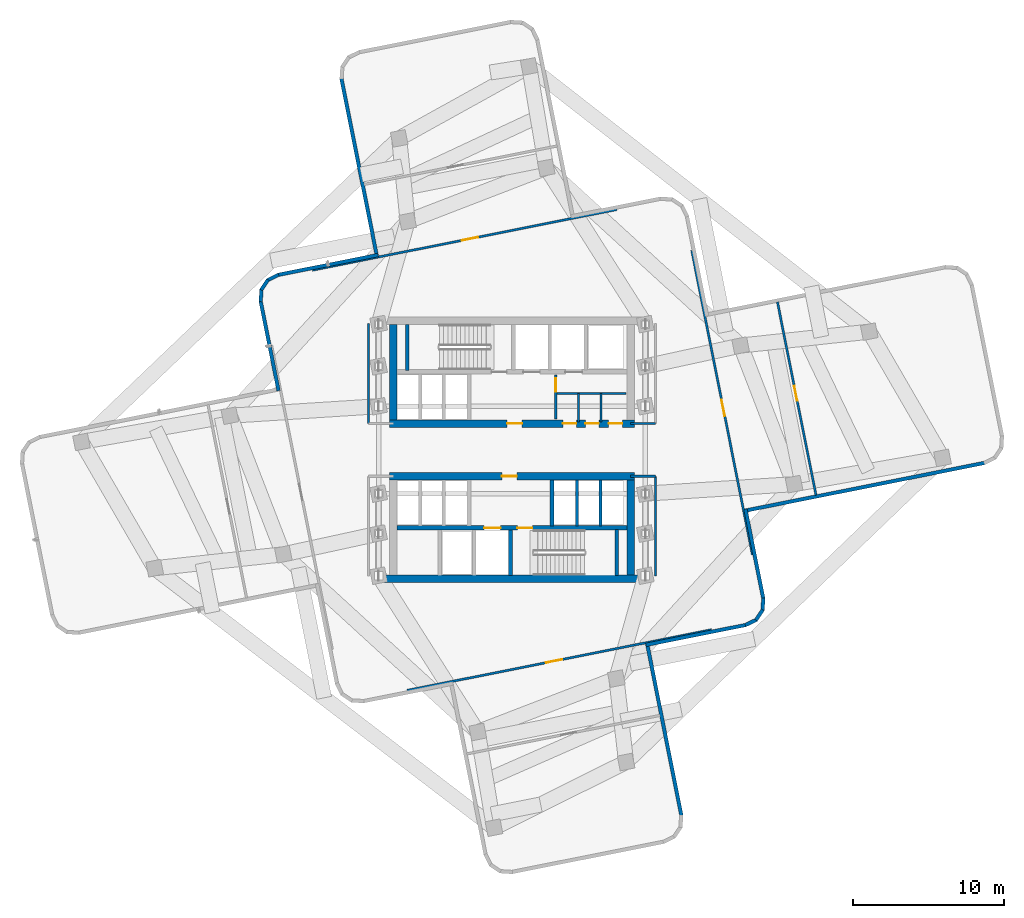
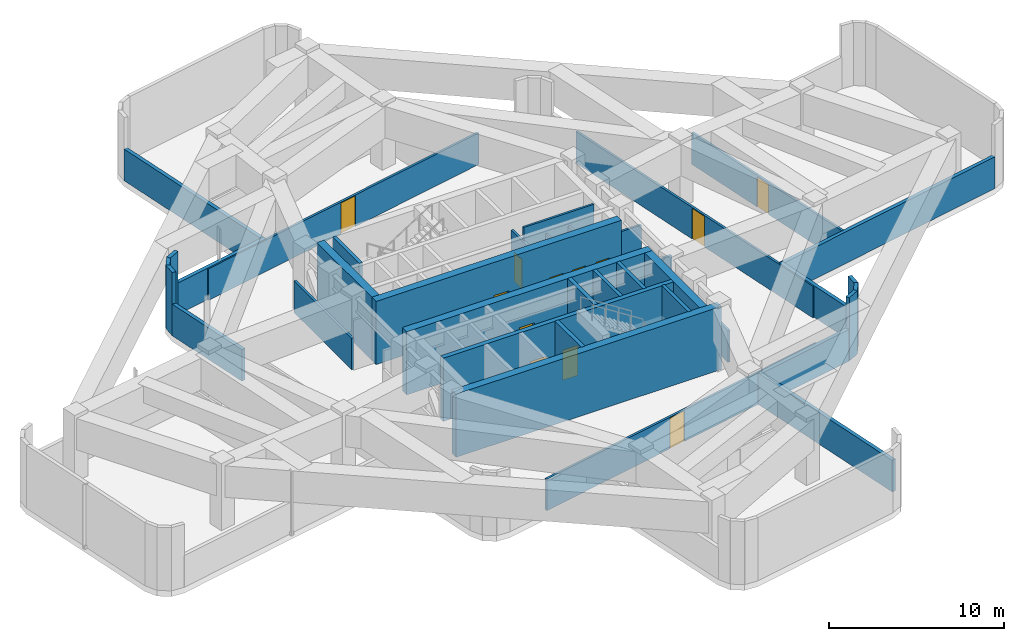
# One storey, part 4 of 7: 37 walls, 12 doors, 12 openings.
"""IFC4 building model written with IfcOpenShell, lengths in metres."""

from ifc_helpers import new_model, si_unit, direction, frame, frame_2d, origin, place, context, subcontext, project, spatial, rectangle, extrude, material, layer, layer_set, type_object, element, fill, save


model = new_model("IFC4")

# Units and contexts
model_context = context("Model", 3, precision=1e-05, world=origin(), true_north=direction((0.0, 1.0)))
body_context = subcontext(model_context, "Body", "Model", "MODEL_VIEW")
ifc_project = project(units=[si_unit("LENGTHUNIT", "METRE"), si_unit("AREAUNIT", "SQUARE_METRE"), si_unit("VOLUMEUNIT", "CUBIC_METRE"), si_unit("PLANEANGLEUNIT", "RADIAN"), si_unit("MASSUNIT", "GRAM", prefix="KILO")], contexts=[model_context])

# Site, building, storey
site_placement = place(None, origin())
site = spatial("IfcSite", under=ifc_project, at=site_placement, CompositionType="ELEMENT")
building_placement = place(site_placement, origin())
building = spatial("IfcBuilding", under=site, at=building_placement, Name="Solmarez Civic Tower", CompositionType="ELEMENT")
storey_placement = place(building_placement, frame((0.0, 0.0, 107.280029296875)))
storey = spatial("IfcBuildingStorey", under=building, at=storey_placement, Name="L28", CompositionType="ELEMENT", Elevation=107.280029296875)

# Wall, openings, doors
ifc_material_1 = material(Name="Concrete C60/75", Category="concrete")
ifc_layer_1 = layer(ifc_material_1, 0.5)
ifc_layer_set_1 = layer_set([ifc_layer_1], Name="Concrete C60/75")
wall_type_1 = type_object("IfcWallType", Name="WALL-CORE-500", PredefinedType="SHEAR", material=ifc_layer_set_1)
wall_1_placement = place(storey_placement, frame((8.1201171875, 1.75, 0.0), z_axis=(0.0, 0.0, 1.0), x_axis=(-1.0, 0.0, 0.0)))
wall_1 = element("IfcWall", 1, at=wall_1_placement, inside=storey, type_object=wall_type_1, Name="L28 Split-Core Structural Wall NCW-S-L28", PredefinedType="SHEAR", context=body_context, shape_type="SweptSolid", body=[
    extrude(rectangle(XDim=16.240234375, YDim=0.5, at=frame_2d((8.1201171875, 0.0))), origin(), (0.0, 0.0, 1.0), 4.419921875),
])
opening_1_placement = place(wall_1_placement, frame((7.449951171875, 0.0, 0.0)))
opening_1 = element("IfcOpeningElement", 2, at=opening_1_placement, cuts=wall_1, Name="Opening D-04", PredefinedType="OPENING", context=body_context, shape_type="SweptSolid", body=[
    extrude(rectangle(XDim=1.0, YDim=2.10009765625, at=frame_2d((0.5, 1.050048828125))), frame((0.0, 0.260009765625, 0.0), z_axis=(0.0, -1.0, 0.0), x_axis=(1.0, 0.0, 0.0)), (0.0, 0.0, 1.0), 0.52001953125),
])
opening_2_placement = place(wall_1_placement, frame((3.85009765625, 0.0, 0.0)))
opening_2 = element("IfcOpeningElement", 3, at=opening_2_placement, cuts=wall_1, Name="Opening D-09", PredefinedType="OPENING", context=body_context, shape_type="SweptSolid", body=[
    extrude(rectangle(XDim=0.89990234375, YDim=2.06005859375, at=frame_2d((0.449951171875, 1.030029296875))), frame((0.0, 0.260009765625, 0.0), z_axis=(0.0, -1.0, 0.0), x_axis=(1.0, 0.0, 0.0)), (0.0, 0.0, 1.0), 0.52001953125),
])
opening_3_placement = place(wall_1_placement, frame((2.35009765625, 0.0, 0.0)))
opening_3 = element("IfcOpeningElement", 4, at=opening_3_placement, cuts=wall_1, Name="Opening D-09", PredefinedType="OPENING", context=body_context, shape_type="SweptSolid", body=[
    extrude(rectangle(XDim=0.89990234375, YDim=2.06005859375, at=frame_2d((0.449951171875, 1.030029296875))), frame((0.0, 0.260009765625, 0.0), z_axis=(0.0, -1.0, 0.0), x_axis=(1.0, 0.0, 0.0)), (0.0, 0.0, 1.0), 0.52001953125),
])
opening_4_placement = place(wall_1_placement, frame((0.800048828125, 0.0, 0.0)))
opening_4 = element("IfcOpeningElement", 5, at=opening_4_placement, cuts=wall_1, Name="Opening D-09", PredefinedType="OPENING", context=body_context, shape_type="SweptSolid", body=[
    extrude(rectangle(XDim=0.89990234375, YDim=2.06005859375, at=frame_2d((0.449951171875, 1.030029296875))), frame((0.0, 0.260009765625, 0.0), z_axis=(0.0, -1.0, 0.0), x_axis=(1.0, 0.0, 0.0)), (0.0, 0.0, 1.0), 0.52001953125),
])
ifc_material_2 = material(Name="Steel-Faced Acoustic Fire Door", Category="steel")
door_type_1 = type_object("IfcDoorType", Name="DOOR-FD60-1000", OperationType="NOTDEFINED", PredefinedType="DOOR", material=ifc_material_2)
door_1_placement = place(opening_1_placement, origin())
door_1 = element("IfcDoor", 6, at=door_1_placement, inside=storey, type_object=door_type_1, Name="L28 North Firefighting Lobby Door", OperationType="SINGLE_SWING_LEFT", OverallHeight=2.10009765625, OverallWidth=1.0, PredefinedType="DOOR", context=body_context, shape_type="SweptSolid", body=[
    extrude(rectangle(XDim=1.0, YDim=2.10009765625, at=frame_2d((0.5, 1.050048828125))), frame((0.0, 0.02490234375, 0.0), z_axis=(0.0, -1.0, 0.0), x_axis=(1.0, 0.0, 0.0)), (0.0, 0.0, 1.0), 0.050048828125),
])
fill(opening_1, door_1)
ifc_material_3 = material(Name="Fire-Rated Service Core Door", Category="wood")
door_type_2 = type_object("IfcDoorType", Name="DOOR-FD60-900", OperationType="NOTDEFINED", PredefinedType="DOOR", material=ifc_material_3)
door_2_placement = place(opening_2_placement, origin())
door_2 = element("IfcDoor", 7, at=door_2_placement, inside=storey, type_object=door_type_2, Name="L28 Core WC Door", OperationType="SINGLE_SWING_RIGHT", OverallHeight=2.06005859375, OverallWidth=0.89990234375, PredefinedType="DOOR", context=body_context, shape_type="SweptSolid", body=[
    extrude(rectangle(XDim=0.89990234375, YDim=2.06005859375, at=frame_2d((0.449951171875, 1.030029296875))), frame((0.0, 0.02490234375, 0.0), z_axis=(0.0, -1.0, 0.0), x_axis=(1.0, 0.0, 0.0)), (0.0, 0.0, 1.0), 0.050048828125),
])
fill(opening_2, door_2)
door_3_placement = place(opening_3_placement, origin())
door_3 = element("IfcDoor", 8, at=door_3_placement, inside=storey, type_object=door_type_2, Name="L28 Core CL Door", OperationType="SINGLE_SWING_LEFT", OverallHeight=2.06005859375, OverallWidth=0.89990234375, PredefinedType="DOOR", context=body_context, shape_type="SweptSolid", body=[
    extrude(rectangle(XDim=0.89990234375, YDim=2.06005859375, at=frame_2d((0.449951171875, 1.030029296875))), frame((0.0, 0.02490234375, 0.0), z_axis=(0.0, -1.0, 0.0), x_axis=(1.0, 0.0, 0.0)), (0.0, 0.0, 1.0), 0.050048828125),
])
fill(opening_3, door_3)
door_4_placement = place(opening_4_placement, origin())
door_4 = element("IfcDoor", 9, at=door_4_placement, inside=storey, type_object=door_type_2, Name="L28 Core IT Door", OperationType="SINGLE_SWING_LEFT", OverallHeight=2.06005859375, OverallWidth=0.89990234375, PredefinedType="DOOR", context=body_context, shape_type="SweptSolid", body=[
    extrude(rectangle(XDim=0.89990234375, YDim=2.06005859375, at=frame_2d((0.449951171875, 1.030029296875))), frame((0.0, 0.02490234375, 0.0), z_axis=(0.0, -1.0, 0.0), x_axis=(1.0, 0.0, 0.0)), (0.0, 0.0, 1.0), 0.050048828125),
])
fill(opening_4, door_4)

# Walls
wall_2_placement = place(storey_placement, frame((-7.8701171875, 2.0, 0.0), z_axis=(0.0, 0.0, 1.0), x_axis=(0.0, 1.0, 0.0)))
element("IfcWall", 10, at=wall_2_placement, inside=storey, type_object=wall_type_1, Name="L28 Split-Core Structural Wall NCW-W-L28", PredefinedType="SHEAR", context=body_context, shape_type="SweptSolid", body=[
    extrude(rectangle(XDim=6.31005859375, YDim=0.5, at=frame_2d((3.155029296875, 0.0))), origin(), (0.0, 0.0, 1.0), 4.419921875),
])
wall_3_placement = place(storey_placement, frame((8.780029296875, -8.56005859375, 0.0), z_axis=(0.0, 0.0, 1.0), x_axis=(-1.0, 0.0, 0.0)))
element("IfcWall", 11, at=wall_3_placement, inside=storey, type_object=wall_type_1, Name="L28 Split-Core Structural Wall SCW-S-L28", PredefinedType="SHEAR", context=body_context, shape_type="SweptSolid", body=[
    extrude(rectangle(XDim=17.56005859375, YDim=0.5, at=frame_2d((8.780029296875, 0.0))), origin(), (0.0, 0.0, 1.0), 4.419921875),
])

# Wall, opening, door
wall_4_placement = place(storey_placement, frame((-8.1201171875, -1.75, 0.0), z_axis=(0.0, 0.0, 1.0), x_axis=(1.0, 0.0, 0.0)))
wall_4 = element("IfcWall", 12, at=wall_4_placement, inside=storey, type_object=wall_type_1, Name="L28 Split-Core Structural Wall SCW-N-L28", PredefinedType="SHEAR", context=body_context, shape_type="SweptSolid", body=[
    extrude(rectangle(XDim=16.240234375, YDim=0.5, at=frame_2d((8.1201171875, 0.0))), origin(), (0.0, 0.0, 1.0), 4.419921875),
])
opening_5_placement = place(wall_4_placement, frame((7.449951171875, 0.0, 0.0)))
opening_5 = element("IfcOpeningElement", 13, at=opening_5_placement, cuts=wall_4, Name="Opening D-04", PredefinedType="OPENING", context=body_context, shape_type="SweptSolid", body=[
    extrude(rectangle(XDim=1.0, YDim=2.10009765625, at=frame_2d((0.5, 1.050048828125))), frame((0.0, 0.260009765625, 0.0), z_axis=(0.0, -1.0, 0.0), x_axis=(1.0, 0.0, 0.0)), (0.0, 0.0, 1.0), 0.52001953125),
])
door_5_placement = place(opening_5_placement, origin())
door_5 = element("IfcDoor", 14, at=door_5_placement, inside=storey, type_object=door_type_1, Name="L28 South Firefighting Lobby Door", OperationType="SINGLE_SWING_RIGHT", OverallHeight=2.10009765625, OverallWidth=1.0, PredefinedType="DOOR", context=body_context, shape_type="SweptSolid", body=[
    extrude(rectangle(XDim=1.0, YDim=2.10009765625, at=frame_2d((0.5, 1.050048828125))), frame((0.0, 0.02490234375, 0.0), z_axis=(0.0, -1.0, 0.0), x_axis=(1.0, 0.0, 0.0)), (0.0, 0.0, 1.0), 0.050048828125),
])
fill(opening_5, door_5)

# Walls
wall_5_placement = place(storey_placement, frame((7.8701171875, -2.0, 0.0), z_axis=(0.0, 0.0, 1.0), x_axis=(0.0, -1.0, 0.0)))
element("IfcWall", 15, at=wall_5_placement, inside=storey, type_object=wall_type_1, Name="L28 Split-Core Structural Wall SCW-E-L28", PredefinedType="SHEAR", context=body_context, shape_type="SweptSolid", body=[
    extrude(rectangle(XDim=6.31005859375, YDim=0.5, at=frame_2d((3.155029296875, 0.0))), origin(), (0.0, 0.0, 1.0), 4.419921875),
])
ifc_material_4 = material(Name="Precast concrete C40/50", Category="concrete")
ifc_layer_2 = layer(ifc_material_4, 0.239990234375)
ifc_layer_set_2 = layer_set([ifc_layer_2], Name="Precast concrete C40/50")
wall_type_2 = type_object("IfcWallType", Name="WALL-EXT-240", PredefinedType="SOLIDWALL", material=ifc_layer_set_2)
wall_6_placement = place(storey_placement, frame((-15.4970703125, 3.928955078125, 0.0), z_axis=(0.0, 0.0, 1.0), x_axis=(-0.19569881616, 0.98066404714, 0.0)))
element("IfcWall", 16, at=wall_6_placement, inside=storey, type_object=wall_type_2, Name="L28 Exterior Precast Wall 13", PredefinedType="SOLIDWALL", context=body_context, shape_type="SweptSolid", body=[
    extrude(rectangle(XDim=6.075439453125, YDim=0.239990234375, at=frame_2d((3.03759765625, 0.0))), origin(), (0.0, 0.0, 1.0), 2.2119140625),
])
wall_7_placement = place(storey_placement, frame((-16.68310546875, 9.8369140625, 0.0), z_axis=(0.0, 0.0, 1.0), x_axis=(0.065308389881, 0.997865128267, 0.0)))
element("IfcWall", 17, at=wall_7_placement, inside=storey, type_object=wall_type_2, Name="L28 Exterior Precast Wall 14", PredefinedType="SOLIDWALL", context=body_context, shape_type="SweptSolid", body=[
    extrude(rectangle(XDim=0.829833984375, YDim=0.239990234375, at=frame_2d((0.4150390625, 0.0))), origin(), (0.0, 0.0, 1.0), 4.419921875),
])
wall_8_placement = place(storey_placement, frame((-16.64501953125, 10.618896484375, 0.0), z_axis=(0.0, 0.0, 1.0), x_axis=(0.554492788598, 0.832188528756, 0.0)))
element("IfcWall", 18, at=wall_8_placement, inside=storey, type_object=wall_type_2, Name="L28 Exterior Precast Wall 15", PredefinedType="SOLIDWALL", context=body_context, shape_type="SweptSolid", body=[
    extrude(rectangle(XDim=0.81494140625, YDim=0.239990234375, at=frame_2d((0.407470703125, 0.0))), origin(), (0.0, 0.0, 1.0), 4.419921875),
])
wall_9_placement = place(storey_placement, frame((-16.22900390625, 11.264892578125, 0.0), z_axis=(0.0, 0.0, 1.0), x_axis=(0.896710894226, 0.442616732824, 0.0)))
element("IfcWall", 19, at=wall_9_placement, inside=storey, type_object=wall_type_2, Name="L28 Exterior Precast Wall 16", PredefinedType="SOLIDWALL", context=body_context, shape_type="SweptSolid", body=[
    extrude(rectangle(XDim=0.82958984375, YDim=0.239990234375, at=frame_2d((0.414794921875, 0.0))), origin(), (0.0, 0.0, 1.0), 4.419921875),
])
wall_10_placement = place(storey_placement, frame((-15.531982421875, 11.615966796875, 0.0), z_axis=(0.0, 0.0, 1.0), x_axis=(0.980667882289, 0.195679596911, 0.0)))
element("IfcWall", 20, at=wall_10_placement, inside=storey, type_object=wall_type_2, Name="L28 Exterior Precast Wall 17", PredefinedType="SOLIDWALL", context=body_context, shape_type="SweptSolid", body=[
    extrude(rectangle(XDim=6.776123046875, YDim=0.239990234375, at=frame_2d((3.38818359375, 0.0))), origin(), (0.0, 0.0, 1.0), 2.2119140625),
])
wall_11_placement = place(storey_placement, frame((-8.9619140625, 12.8291015625, 0.0), z_axis=(0.0, 0.0, 1.0), x_axis=(-0.195692311479, 0.980665345176, 0.0)))
element("IfcWall", 21, at=wall_11_placement, inside=storey, type_object=wall_type_2, Name="L28 Exterior Precast Wall 20", PredefinedType="SOLIDWALL", context=body_context, shape_type="SweptSolid", body=[
    extrude(rectangle(XDim=12.0751953125, YDim=0.239990234375, at=frame_2d((6.03759765625, 0.0))), origin(), (0.0, 0.0, 1.0), 2.2119140625),
])
wall_12_placement = place(storey_placement, frame((31.384033203125, -0.85791015625, 0.0), z_axis=(0.0, 0.0, 1.0), x_axis=(-0.980678627862, -0.195625736687, 0.0)))
element("IfcWall", 22, at=wall_12_placement, inside=storey, type_object=wall_type_2, Name="L28 Exterior Precast Wall 46", PredefinedType="SOLIDWALL", context=body_context, shape_type="SweptSolid", body=[
    extrude(rectangle(XDim=16.2763671875, YDim=0.239990234375, at=frame_2d((8.13818359375, 0.0))), origin(), (0.0, 0.0, 1.0), 2.2119140625),
])
wall_13_placement = place(storey_placement, frame((15.4970703125, -3.928955078125, 0.0), z_axis=(0.0, 0.0, 1.0), x_axis=(0.19569881616, -0.98066404714, 0.0)))
element("IfcWall", 23, at=wall_13_placement, inside=storey, type_object=wall_type_2, Name="L28 Exterior Precast Wall 49", PredefinedType="SOLIDWALL", context=body_context, shape_type="SweptSolid", body=[
    extrude(rectangle(XDim=6.075439453125, YDim=0.239990234375, at=frame_2d((3.03759765625, 0.0))), origin(), (0.0, 0.0, 1.0), 2.2119140625),
])
wall_14_placement = place(storey_placement, frame((16.68310546875, -9.8369140625, 0.0), z_axis=(0.0, 0.0, 1.0), x_axis=(-0.065308389881, -0.997865128267, 0.0)))
element("IfcWall", 24, at=wall_14_placement, inside=storey, type_object=wall_type_2, Name="L28 Exterior Precast Wall 50", PredefinedType="SOLIDWALL", context=body_context, shape_type="SweptSolid", body=[
    extrude(rectangle(XDim=0.829833984375, YDim=0.239990234375, at=frame_2d((0.4150390625, 0.0))), origin(), (0.0, 0.0, 1.0), 4.419921875),
])
wall_15_placement = place(storey_placement, frame((16.64501953125, -10.618896484375, 0.0), z_axis=(0.0, 0.0, 1.0), x_axis=(-0.554492788598, -0.832188528756, 0.0)))
element("IfcWall", 25, at=wall_15_placement, inside=storey, type_object=wall_type_2, Name="L28 Exterior Precast Wall 51", PredefinedType="SOLIDWALL", context=body_context, shape_type="SweptSolid", body=[
    extrude(rectangle(XDim=0.81494140625, YDim=0.239990234375, at=frame_2d((0.407470703125, 0.0))), origin(), (0.0, 0.0, 1.0), 4.419921875),
])
wall_16_placement = place(storey_placement, frame((16.22900390625, -11.264892578125, 0.0), z_axis=(0.0, 0.0, 1.0), x_axis=(-0.896710894226, -0.442616732824, 0.0)))
element("IfcWall", 26, at=wall_16_placement, inside=storey, type_object=wall_type_2, Name="L28 Exterior Precast Wall 52", PredefinedType="SOLIDWALL", context=body_context, shape_type="SweptSolid", body=[
    extrude(rectangle(XDim=0.82958984375, YDim=0.239990234375, at=frame_2d((0.414794921875, 0.0))), origin(), (0.0, 0.0, 1.0), 4.419921875),
])
wall_17_placement = place(storey_placement, frame((15.531982421875, -11.615966796875, 0.0), z_axis=(0.0, 0.0, 1.0), x_axis=(-0.980667882289, -0.195679596911, 0.0)))
element("IfcWall", 27, at=wall_17_placement, inside=storey, type_object=wall_type_2, Name="L28 Exterior Precast Wall 53", PredefinedType="SOLIDWALL", context=body_context, shape_type="SweptSolid", body=[
    extrude(rectangle(XDim=6.776123046875, YDim=0.239990234375, at=frame_2d((3.38818359375, 0.0))), origin(), (0.0, 0.0, 1.0), 2.2119140625),
])
wall_18_placement = place(storey_placement, frame((8.9619140625, -12.8291015625, 0.0), z_axis=(0.0, 0.0, 1.0), x_axis=(0.19563758561, -0.980676264165, 0.0)))
element("IfcWall", 28, at=wall_18_placement, inside=storey, type_object=wall_type_2, Name="L28 Exterior Precast Wall 56", PredefinedType="SOLIDWALL", context=body_context, shape_type="SweptSolid", body=[
    extrude(rectangle(XDim=11.675537109375, YDim=0.239990234375, at=frame_2d((5.837890625, 0.0))), origin(), (0.0, 0.0, 1.0), 2.2119140625),
])
ifc_material_5 = material(Name="Gypsum Board Acoustic Steel-Stud Partition", Category="steel")
ifc_layer_3 = layer(ifc_material_5, 0.14990234375)
ifc_layer_set_3 = layer_set([ifc_layer_3], Name="Gypsum Board Acoustic Steel-Stud Partition")
wall_type_3 = type_object("IfcWallType", Name="WALL-INT-FIRE-150", PredefinedType="PARTITIONING", material=ifc_layer_set_3)
wall_19_placement = place(storey_placement, frame((-9.52001953125, 1.75, 0.0), z_axis=(0.0, 0.0, 1.0), x_axis=(0.0, 1.0, 0.0)))
element("IfcWall", 29, at=wall_19_placement, inside=storey, type_object=wall_type_3, Name="L28 Interior Partition CHW-L28-WN1", PredefinedType="PARTITIONING", context=body_context, shape_type="SweptSolid", body=[
    extrude(rectangle(XDim=6.6298828125, YDim=0.14990234375, at=frame_2d((3.31494140625, 0.0))), origin(), (0.0, 0.0, 1.0), 2.2119140625),
])
wall_20_placement = place(storey_placement, frame((7.85009765625, 1.75, 0.0), z_axis=(0.0, 0.0, 1.0), x_axis=(1.0, 0.0, 0.0)))
element("IfcWall", 30, at=wall_20_placement, inside=storey, type_object=wall_type_3, Name="L28 Interior Partition CHW-L28-EN3", PredefinedType="PARTITIONING", context=body_context, shape_type="SweptSolid", body=[
    extrude(rectangle(XDim=1.669921875, YDim=0.14990234375, at=frame_2d((0.8349609375, 0.0))), origin(), (0.0, 0.0, 1.0), 3.48486328125),
])
wall_21_placement = place(storey_placement, frame((9.52001953125, -8.3798828125, 0.0), z_axis=(0.0, 0.0, 1.0), x_axis=(0.0, 1.0, 0.0)))
element("IfcWall", 31, at=wall_21_placement, inside=storey, type_object=wall_type_3, Name="L28 Interior Partition CHW-L28-ES1", PredefinedType="PARTITIONING", context=body_context, shape_type="SweptSolid", body=[
    extrude(rectangle(XDim=6.6298828125, YDim=0.14990234375, at=frame_2d((3.31494140625, 0.0))), origin(), (0.0, 0.0, 1.0), 2.2119140625),
])
wall_22_placement = place(storey_placement, frame((7.85009765625, -1.75, 0.0), z_axis=(0.0, 0.0, 1.0), x_axis=(1.0, 0.0, 0.0)))
element("IfcWall", 32, at=wall_22_placement, inside=storey, type_object=wall_type_3, Name="L28 Interior Partition CHW-L28-ES3", PredefinedType="PARTITIONING", context=body_context, shape_type="SweptSolid", body=[
    extrude(rectangle(XDim=1.669921875, YDim=0.14990234375, at=frame_2d((0.8349609375, 0.0))), origin(), (0.0, 0.0, 1.0), 3.48486328125),
])

# Wall, opening, door
wall_23_placement = place(storey_placement, frame((11.930908203125, 13.239990234375, 0.0), z_axis=(0.0, 0.0, 1.0), x_axis=(0.19557824927, -0.980688099455, 0.0)))
wall_23 = element("IfcWall", 33, at=wall_23_placement, inside=storey, type_object=wall_type_3, Name="L28 Interior Partition PT-L28-E-ENT", PredefinedType="PARTITIONING", context=body_context, shape_type="SweptSolid", body=[
    extrude(rectangle(XDim=20.600830078125, YDim=0.14990234375, at=frame_2d((10.30029296875, 0.0))), origin(), (0.0, 0.0, 1.0), 2.2119140625),
])
opening_6_placement = place(wall_23_placement, frame((10.10009765625, 0.0, 0.0)))
opening_6 = element("IfcOpeningElement", 34, at=opening_6_placement, cuts=wall_23, Name="Opening D-07", PredefinedType="OPENING", context=body_context, shape_type="SweptSolid", body=[
    extrude(rectangle(XDim=1.10009765625, YDim=2.14990234375, at=frame_2d((0.550048828125, 1.074951171875))), frame((0.0, 0.0849609375, 0.0), z_axis=(0.0, -1.0, 0.0), x_axis=(1.0, 0.0, 0.0)), (0.0, 0.0, 1.0), 0.169921875),
])
ifc_material_6 = material(Name="Heavy-Duty Fire Exit Door", Category="wood")
door_type_3 = type_object("IfcDoorType", Name="DOOR-FD90-1100", OperationType="NOTDEFINED", PredefinedType="DOOR", material=ifc_material_6)
door_6_placement = place(opening_6_placement, origin())
door_6 = element("IfcDoor", 35, at=door_6_placement, inside=storey, type_object=door_type_3, Name="L28 East Protected Refuge Area Door", OperationType="SINGLE_SWING_LEFT", OverallHeight=2.14990234375, OverallWidth=1.10009765625, PredefinedType="DOOR", context=body_context, shape_type="SweptSolid", body=[
    extrude(rectangle(XDim=1.10009765625, YDim=2.14990234375, at=frame_2d((0.550048828125, 1.074951171875))), frame((0.0, 0.02490234375, 0.0), z_axis=(0.0, -1.0, 0.0), x_axis=(1.0, 0.0, 0.0)), (0.0, 0.0, 1.0), 0.050048828125),
])
fill(opening_6, door_6)

wall_24_placement = place(storey_placement, frame((17.616943359375, 9.8310546875, 0.0), z_axis=(0.0, 0.0, 1.0), x_axis=(0.195646257456, -0.980674534157, 0.0)))
wall_24 = element("IfcWall", 36, at=wall_24_placement, inside=storey, type_object=wall_type_3, Name="L28 Interior Partition PT-L28-E-MID", PredefinedType="PARTITIONING", context=body_context, shape_type="SweptSolid", body=[
    extrude(rectangle(XDim=13.090087890625, YDim=0.14990234375, at=frame_2d((6.544921875, 0.0))), origin(), (0.0, 0.0, 1.0), 2.2119140625),
])
opening_7_placement = place(wall_24_placement, frame((5.695068359375, 0.0, 0.0)))
opening_7 = element("IfcOpeningElement", 37, at=opening_7_placement, cuts=wall_24, Name="Opening D-04", PredefinedType="OPENING", context=body_context, shape_type="SweptSolid", body=[
    extrude(rectangle(XDim=1.0, YDim=2.10009765625, at=frame_2d((0.5, 1.050048828125))), frame((0.0, 0.0849609375, 0.0), z_axis=(0.0, -1.0, 0.0), x_axis=(1.0, 0.0, 0.0)), (0.0, 0.0, 1.0), 0.169921875),
])
door_7_placement = place(opening_7_placement, origin())
door_7 = element("IfcDoor", 38, at=door_7_placement, inside=storey, type_object=door_type_1, Name="L28 East Outer Protected Refuge Area Door", OperationType="SINGLE_SWING_RIGHT", OverallHeight=2.10009765625, OverallWidth=1.0, PredefinedType="DOOR", context=body_context, shape_type="SweptSolid", body=[
    extrude(rectangle(XDim=1.0, YDim=2.10009765625, at=frame_2d((0.5, 1.050048828125))), frame((0.0, 0.02490234375, 0.0), z_axis=(0.0, -1.0, 0.0), x_axis=(1.0, 0.0, 0.0)), (0.0, 0.0, 1.0), 0.050048828125),
])
fill(opening_7, door_7)

wall_25_placement = place(storey_placement, frame((-13.239990234375, 11.930908203125, 0.0), z_axis=(0.0, 0.0, 1.0), x_axis=(0.980688099455, 0.19557824927, 0.0)))
wall_25 = element("IfcWall", 39, at=wall_25_placement, inside=storey, type_object=wall_type_3, Name="L28 Interior Partition PT-L28-N-ENT", PredefinedType="PARTITIONING", context=body_context, shape_type="SweptSolid", body=[
    extrude(rectangle(XDim=20.600830078125, YDim=0.14990234375, at=frame_2d((10.30029296875, 0.0))), origin(), (0.0, 0.0, 1.0), 2.2119140625),
])
opening_8_placement = place(wall_25_placement, frame((10.10009765625, 0.0, 0.0)))
opening_8 = element("IfcOpeningElement", 40, at=opening_8_placement, cuts=wall_25, Name="Opening D-07", PredefinedType="OPENING", context=body_context, shape_type="SweptSolid", body=[
    extrude(rectangle(XDim=1.10009765625, YDim=2.14990234375, at=frame_2d((0.550048828125, 1.074951171875))), frame((0.0, 0.0849609375, 0.0), z_axis=(0.0, -1.0, 0.0), x_axis=(1.0, 0.0, 0.0)), (0.0, 0.0, 1.0), 0.169921875),
])
door_8_placement = place(opening_8_placement, origin())
door_8 = element("IfcDoor", 41, at=door_8_placement, inside=storey, type_object=door_type_3, Name="L28 Chiller and Cooling Plant Room Door", OperationType="SINGLE_SWING_LEFT", OverallHeight=2.14990234375, OverallWidth=1.10009765625, PredefinedType="DOOR", context=body_context, shape_type="SweptSolid", body=[
    extrude(rectangle(XDim=1.10009765625, YDim=2.14990234375, at=frame_2d((0.550048828125, 1.074951171875))), frame((0.0, 0.02490234375, 0.0), z_axis=(0.0, -1.0, 0.0), x_axis=(1.0, 0.0, 0.0)), (0.0, 0.0, 1.0), 0.050048828125),
])
fill(opening_8, door_8)

wall_26_placement = place(storey_placement, frame((13.239990234375, -11.930908203125, 0.0), z_axis=(0.0, 0.0, 1.0), x_axis=(-0.980688099455, -0.19557824927, 0.0)))
wall_26 = element("IfcWall", 42, at=wall_26_placement, inside=storey, type_object=wall_type_3, Name="L28 Interior Partition PT-L28-S-ENT", PredefinedType="PARTITIONING", context=body_context, shape_type="SweptSolid", body=[
    extrude(rectangle(XDim=20.600830078125, YDim=0.14990234375, at=frame_2d((10.30029296875, 0.0))), origin(), (0.0, 0.0, 1.0), 2.2119140625),
])
opening_9_placement = place(wall_26_placement, frame((10.10009765625, 0.0, 0.0)))
opening_9 = element("IfcOpeningElement", 43, at=opening_9_placement, cuts=wall_26, Name="Opening D-07", PredefinedType="OPENING", context=body_context, shape_type="SweptSolid", body=[
    extrude(rectangle(XDim=1.10009765625, YDim=2.14990234375, at=frame_2d((0.550048828125, 1.074951171875))), frame((0.0, 0.0849609375, 0.0), z_axis=(0.0, -1.0, 0.0), x_axis=(1.0, 0.0, 0.0)), (0.0, 0.0, 1.0), 0.169921875),
])
door_9_placement = place(opening_9_placement, origin())
door_9 = element("IfcDoor", 44, at=door_9_placement, inside=storey, type_object=door_type_3, Name="L28 Air Handling Fan Plant Room Door", OperationType="SINGLE_SWING_RIGHT", OverallHeight=2.14990234375, OverallWidth=1.10009765625, PredefinedType="DOOR", context=body_context, shape_type="SweptSolid", body=[
    extrude(rectangle(XDim=1.10009765625, YDim=2.14990234375, at=frame_2d((0.550048828125, 1.074951171875))), frame((0.0, 0.02490234375, 0.0), z_axis=(0.0, -1.0, 0.0), x_axis=(1.0, 0.0, 0.0)), (0.0, 0.0, 1.0), 0.050048828125),
])
fill(opening_9, door_9)

ifc_layer_4 = layer(ifc_material_5, 0.159912109375)
ifc_layer_set_4 = layer_set([ifc_layer_4], Name="Gypsum Board Acoustic Steel-Stud Partition")
wall_type_4 = type_object("IfcWallType", Name="WALL-INT-SHAFT-160", PredefinedType="PARTITIONING", material=ifc_layer_set_4)
wall_27_placement = place(storey_placement, frame((2.89990234375, 2.0400390625, 0.0), z_axis=(0.0, 0.0, 1.0), x_axis=(0.0, 1.0, 0.0)))
wall_27 = element("IfcWall", 45, at=wall_27_placement, inside=storey, type_object=wall_type_4, Name="L28 Interior Partition SHW-NL2-L28", PredefinedType="PARTITIONING", context=body_context, shape_type="SweptSolid", body=[
    extrude(rectangle(XDim=2.93994140625, YDim=0.159912109375, at=frame_2d((1.469970703125, 0.0))), origin(), (0.0, 0.0, 1.0), 3.48486328125),
])
opening_10_placement = place(wall_27_placement, frame((1.820068359375, 0.0, 0.0)))
opening_10 = element("IfcOpeningElement", 46, at=opening_10_placement, cuts=wall_27, Name="Opening D-09", PredefinedType="OPENING", context=body_context, shape_type="SweptSolid", body=[
    extrude(rectangle(XDim=0.89990234375, YDim=2.06005859375, at=frame_2d((0.449951171875, 1.030029296875))), frame((0.0, 0.08984375, 0.0), z_axis=(0.0, -1.0, 0.0), x_axis=(1.0, 0.0, 0.0)), (0.0, 0.0, 1.0), 0.179931640625),
])
door_10_placement = place(opening_10_placement, origin())
door_10 = element("IfcDoor", 47, at=door_10_placement, inside=storey, type_object=door_type_2, Name="L28 Service Lift Lobby Door", OperationType="SINGLE_SWING_LEFT", OverallHeight=2.06005859375, OverallWidth=0.89990234375, PredefinedType="DOOR", context=body_context, shape_type="SweptSolid", body=[
    extrude(rectangle(XDim=0.89990234375, YDim=2.06005859375, at=frame_2d((0.449951171875, 1.030029296875))), frame((0.0, 0.02490234375, 0.0), z_axis=(0.0, -1.0, 0.0), x_axis=(1.0, 0.0, 0.0)), (0.0, 0.0, 1.0), 0.050048828125),
])
fill(opening_10, door_10)

# Walls
ifc_layer_5 = layer(ifc_material_5, 0.137939453125)
ifc_layer_set_5 = layer_set([ifc_layer_5], Name="Gypsum Board Acoustic Steel-Stud Partition")
wall_type_5 = type_object("IfcWallType", Name="WALL-INT-WET-140", PredefinedType="PARTITIONING", material=ifc_layer_set_5)
wall_28_placement = place(storey_placement, frame((2.89990234375, 3.739990234375, 0.0), z_axis=(0.0, 0.0, 1.0), x_axis=(1.0, 0.0, 0.0)))
element("IfcWall", 48, at=wall_28_placement, inside=storey, type_object=wall_type_5, Name="L28 Interior Partition SHW-SVH-L28", PredefinedType="PARTITIONING", context=body_context, shape_type="SweptSolid", body=[
    extrude(rectangle(XDim=4.650146484375, YDim=0.137939453125, at=frame_2d((2.3251953125, 0.0))), origin(), (0.0, 0.0, 1.0), 4.419921875),
])
for number, where, z_axis, x_axis, name in (
    (49, (4.39990234375, 1.85009765625, 0.0), (0.0, 0.0, 1.0), (0.0, 1.0, 0.0), "L28 Interior Partition PT-NCSV1-L28"),
    (50, (5.89990234375, 1.85009765625, 0.0), (0.0, 0.0, 1.0), (0.0, 1.0, 0.0), "L28 Interior Partition PT-NCSV2-L28"),
):
    element("IfcWall", number, at=place(storey_placement, frame(where, z_axis=z_axis, x_axis=x_axis)), inside=storey, type_object=wall_type_5, Name=name, PredefinedType="PARTITIONING", context=body_context, shape_type="SweptSolid", body=[
        extrude(rectangle(XDim=1.889892578125, YDim=0.137939453125, at=frame_2d((0.94482421875, 0.0))), origin(), (0.0, 0.0, 1.0), 3.48486328125),
    ])

# Wall, openings, doors
ifc_material_7 = material(Name="Concrete C50/60", Category="concrete")
ifc_layer_6 = layer(ifc_material_7, 0.300048828125)
ifc_layer_set_6 = layer_set([ifc_layer_6], Name="Concrete C50/60")
wall_type_6 = type_object("IfcWallType", Name="WALL-STR-300", PredefinedType="SOLIDWALL", material=ifc_layer_set_6)
wall_29_placement = place(storey_placement, frame((-7.6201171875, -5.179931640625, 0.0), z_axis=(0.0, 0.0, 1.0), x_axis=(1.0, 0.0, 0.0)))
wall_29 = element("IfcWall", 51, at=wall_29_placement, inside=storey, type_object=wall_type_6, Name="L28 Split-Core Structural Wall SCW-M-L28", PredefinedType="SOLIDWALL", context=body_context, shape_type="SweptSolid", body=[
    extrude(rectangle(XDim=15.240234375, YDim=0.300048828125, at=frame_2d((7.6201171875, 0.0))), origin(), (0.0, 0.0, 1.0), 4.419921875),
])
opening_11_placement = place(wall_29_placement, frame((5.77001953125, 0.0, 0.0)))
opening_11 = element("IfcOpeningElement", 52, at=opening_11_placement, cuts=wall_29, Name="Opening LD-02", PredefinedType="OPENING", context=body_context, shape_type="SweptSolid", body=[
    extrude(rectangle(XDim=1.10009765625, YDim=2.14990234375, at=frame_2d((0.550048828125, 1.074951171875))), frame((0.0, 0.159912109375, 0.0), z_axis=(0.0, -1.0, 0.0), x_axis=(1.0, 0.0, 0.0)), (0.0, 0.0, 1.0), 0.320068359375),
])
opening_12_placement = place(wall_29_placement, frame((7.969970703125, 0.0, 0.0)))
opening_12 = element("IfcOpeningElement", 53, at=opening_12_placement, cuts=wall_29, Name="Opening D-05", PredefinedType="OPENING", context=body_context, shape_type="SweptSolid", body=[
    extrude(rectangle(XDim=1.0, YDim=2.10009765625, at=frame_2d((0.5, 1.050048828125))), frame((0.0, 0.159912109375, 0.0), z_axis=(0.0, -1.0, 0.0), x_axis=(1.0, 0.0, 0.0)), (0.0, 0.0, 1.0), 0.320068359375),
])
ifc_material_8 = material(Name="Fire-Rated Stairwell Exit Door", Category="wood")
door_type_4 = type_object("IfcDoorType", Name="DOOR-FD90-1000", OperationType="NOTDEFINED", PredefinedType="DOOR", material=ifc_material_8)
door_11_placement = place(opening_12_placement, origin())
door_11 = element("IfcDoor", 54, at=door_11_placement, inside=storey, type_object=door_type_4, Name="L28 South Exit Stair Door ST-2", OperationType="SINGLE_SWING_RIGHT", OverallHeight=2.10009765625, OverallWidth=1.0, PredefinedType="DOOR", context=body_context, shape_type="SweptSolid", body=[
    extrude(rectangle(XDim=1.0, YDim=2.10009765625, at=frame_2d((0.5, 1.050048828125))), frame((0.0, 0.02490234375, 0.0), z_axis=(0.0, -1.0, 0.0), x_axis=(1.0, 0.0, 0.0)), (0.0, 0.0, 1.0), 0.050048828125),
])
fill(opening_12, door_11)
ifc_material_9 = material(Name="Stainless Firefighting Lift Landing Sliding Door", Category="aluminium")
door_type_5 = type_object("IfcDoorType", Name="DOOR-LD-FF-1100", OperationType="DOUBLE_DOOR_SLIDING", PredefinedType="DOOR", material=ifc_material_9)
door_12_placement = place(opening_11_placement, origin())
door_12 = element("IfcDoor", 55, at=door_12_placement, inside=storey, type_object=door_type_5, Name="L28 Firefighting Lift Landing Door FFL-2", OperationType="DOUBLE_DOOR_SLIDING", OverallHeight=2.14990234375, OverallWidth=1.10009765625, PredefinedType="DOOR", context=body_context, shape_type="SweptSolid", body=[
    extrude(rectangle(XDim=1.10009765625, YDim=2.14990234375, at=frame_2d((0.550048828125, 1.074951171875))), frame((0.0, 0.02490234375, 0.0), z_axis=(0.0, -1.0, 0.0), x_axis=(1.0, 0.0, 0.0)), (0.0, 0.0, 1.0), 0.050048828125),
])
fill(opening_11, door_12)

# Walls
for number, where, z_axis, x_axis, name in (
    (56, (-6.949951171875, 5.280029296875, 0.0), (0.0, 0.0, 1.0), (0.0, 1.0, 0.0), "L28 Split-Core Structural Wall SHW-NW-L28"),
    (57, (6.949951171875, -8.340087890625, 0.0), (0.0, 0.0, 1.0), (0.0, 1.0, 0.0), "L28 Split-Core Structural Wall SHW-SE-L28"),
):
    element("IfcWall", number, at=place(storey_placement, frame(where, z_axis=z_axis, x_axis=x_axis)), inside=storey, type_object=wall_type_6, Name=name, PredefinedType="SOLIDWALL", context=body_context, shape_type="SweptSolid", body=[
        extrude(rectangle(XDim=3.06005859375, YDim=0.219970703125, at=frame_2d((1.530029296875, 0.0))), origin(), (0.0, 0.0, 1.0), 4.419921875),
    ])
wall_30_placement = place(storey_placement, frame((-0.10009765625, -8.340087890625, 0.0), z_axis=(0.0, 0.0, 1.0), x_axis=(0.0, 1.0, 0.0)))
element("IfcWall", 58, at=wall_30_placement, inside=storey, type_object=wall_type_6, Name="L28 Split-Core Structural Wall SHW-S1-L28", PredefinedType="SOLIDWALL", context=body_context, shape_type="SweptSolid", body=[
    extrude(rectangle(XDim=3.0400390625, YDim=0.25, at=frame_2d((1.52001953125, 0.0))), origin(), (0.0, 0.0, 1.0), 4.419921875),
])
wall_31_placement = place(storey_placement, frame((2.64990234375, -5.050048828125, 0.0), z_axis=(0.0, 0.0, 1.0), x_axis=(0.0, 1.0, 0.0)))
element("IfcWall", 59, at=wall_31_placement, inside=storey, type_object=wall_type_6, Name="L28 Split-Core Structural Wall SHW-SL2-L28", PredefinedType="SOLIDWALL", context=body_context, shape_type="SweptSolid", body=[
    extrude(rectangle(XDim=3.070068359375, YDim=0.25, at=frame_2d((1.53515625, 0.0))), origin(), (0.0, 0.0, 1.0), 4.419921875),
])
for number, where, z_axis, x_axis, name in (
    (60, (4.320068359375, -5.050048828125, 0.0), (0.0, 0.0, 1.0), (0.0, 1.0, 0.0), "L28 Split-Core Structural Wall SHW-PLL-L28-1"),
    (61, (5.8798828125, -5.050048828125, 0.0), (0.0, 0.0, 1.0), (0.0, 1.0, 0.0), "L28 Split-Core Structural Wall SHW-PLL-L28-2"),
):
    element("IfcWall", number, at=place(storey_placement, frame(where, z_axis=z_axis, x_axis=x_axis)), inside=storey, type_object=wall_type_6, Name=name, PredefinedType="SOLIDWALL", context=body_context, shape_type="SweptSolid", body=[
        extrude(rectangle(XDim=3.070068359375, YDim=0.219970703125, at=frame_2d((1.53515625, 0.0))), origin(), (0.0, 0.0, 1.0), 4.419921875),
    ])

save(model, "model.ifc")
